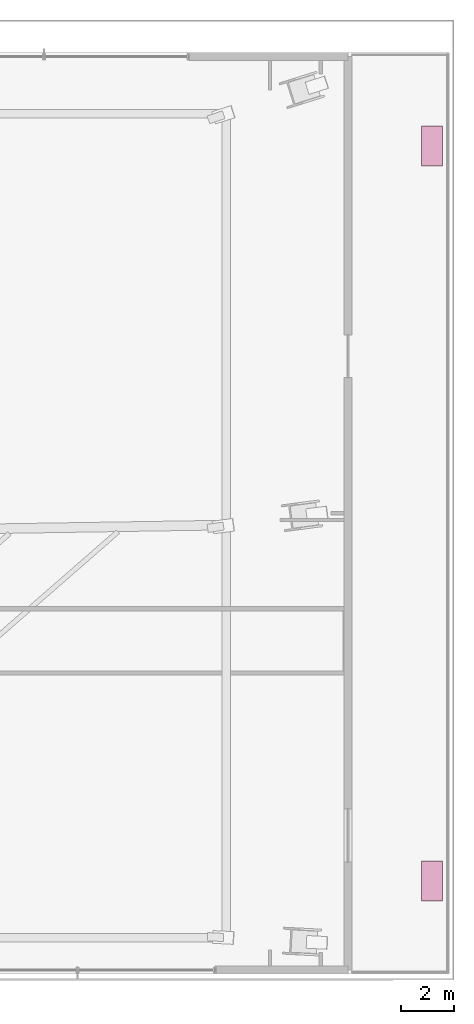
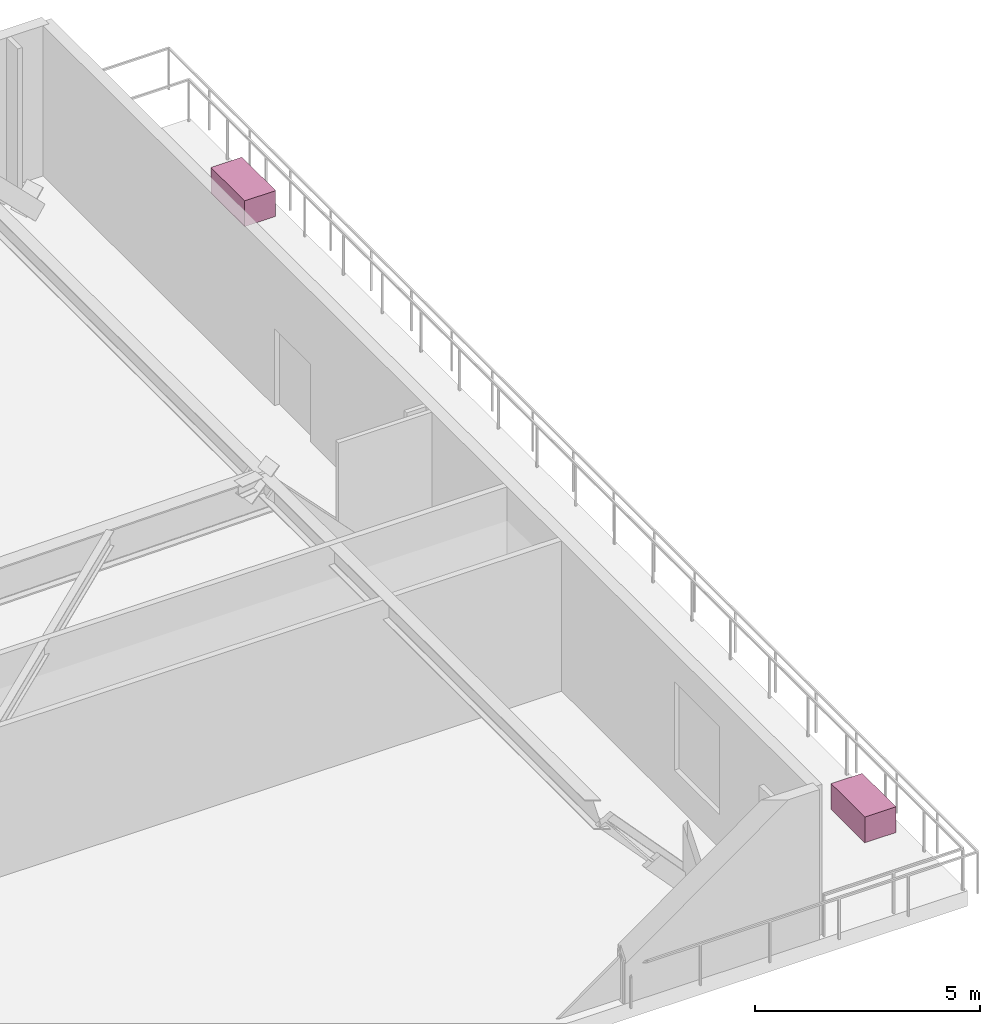
# One storey, part 36 of 36: 2 furnishings.
"""IFC4 building model written with IfcOpenShell, lengths in metres."""

from ifc_helpers import new_model, si_unit, direction, frame, origin, origin_2d, place, context, subcontext, project, spatial, rectangle, extrude, source, transform, mapped, material, type_object, type_shapes, element, save


model = new_model("IFC4")

# Units and contexts
model_context = context("Model", 3, precision=1e-05, world=origin(), true_north=direction((0.0, 1.0)))
body_context = subcontext(model_context, "Body", "Model", "MODEL_VIEW")
ifc_project = project(units=[si_unit("LENGTHUNIT", "METRE"), si_unit("AREAUNIT", "SQUARE_METRE"), si_unit("VOLUMEUNIT", "CUBIC_METRE"), si_unit("PLANEANGLEUNIT", "RADIAN"), si_unit("MASSUNIT", "GRAM", prefix="KILO")], contexts=[model_context])

# Site, building, storey
site_placement = place(None, origin())
site = spatial("IfcSite", under=ifc_project, at=site_placement, CompositionType="ELEMENT")
building_placement = place(site_placement, origin())
building = spatial("IfcBuilding", under=site, at=building_placement, Name="Astriad Promenade Condominiums", CompositionType="ELEMENT")
storey_placement = place(building_placement, frame((0.0, 0.0, 5.0)))
storey = spatial("IfcBuildingStorey", under=building, at=storey_placement, Name="L01", CompositionType="ELEMENT", Elevation=5.0)

# Furnishings
ifc_material = material(Name="Architectural Precast Concrete Planter", Category="concrete")
furnishing_element_type = type_object("IfcFurnishingElementType", Name="PLANTER-TERRACE-1500", material=ifc_material)
shared_shape = source(origin(), body_context, "Body", "SweptSolid", [
    extrude(rectangle(XDim=0.800048828125, YDim=1.5, at=origin_2d()), origin(), (0.0, 0.0, 1.0), 0.699951171875),
])
type_shapes(furnishing_element_type, [shared_shape])
for number, where, z_axis, x_axis, name in (
    (1, (82.199951171875, 4.5, 0.0), (0.0, 0.0, 1.0), (1.0, 0.0, 0.0), "PLN-TER-L01-1"),
    (2, (82.199951171875, 32.10009765625, 0.0), (0.0, 0.0, 1.0), (1.0, 0.0, 0.0), "PLN-TER-L01-2"),
):
    element("IfcFurnishingElement", number, at=place(storey_placement, frame(where, z_axis=z_axis, x_axis=x_axis)), inside=storey, type_object=furnishing_element_type, Name=name, ObjectType="PLANTER", context=body_context, shape_type="MappedRepresentation", body=[
        mapped(shared_shape, transform((0.0, 0.0, 0.0), scale=1.0)),
    ])

save(model, "model.ifc")
